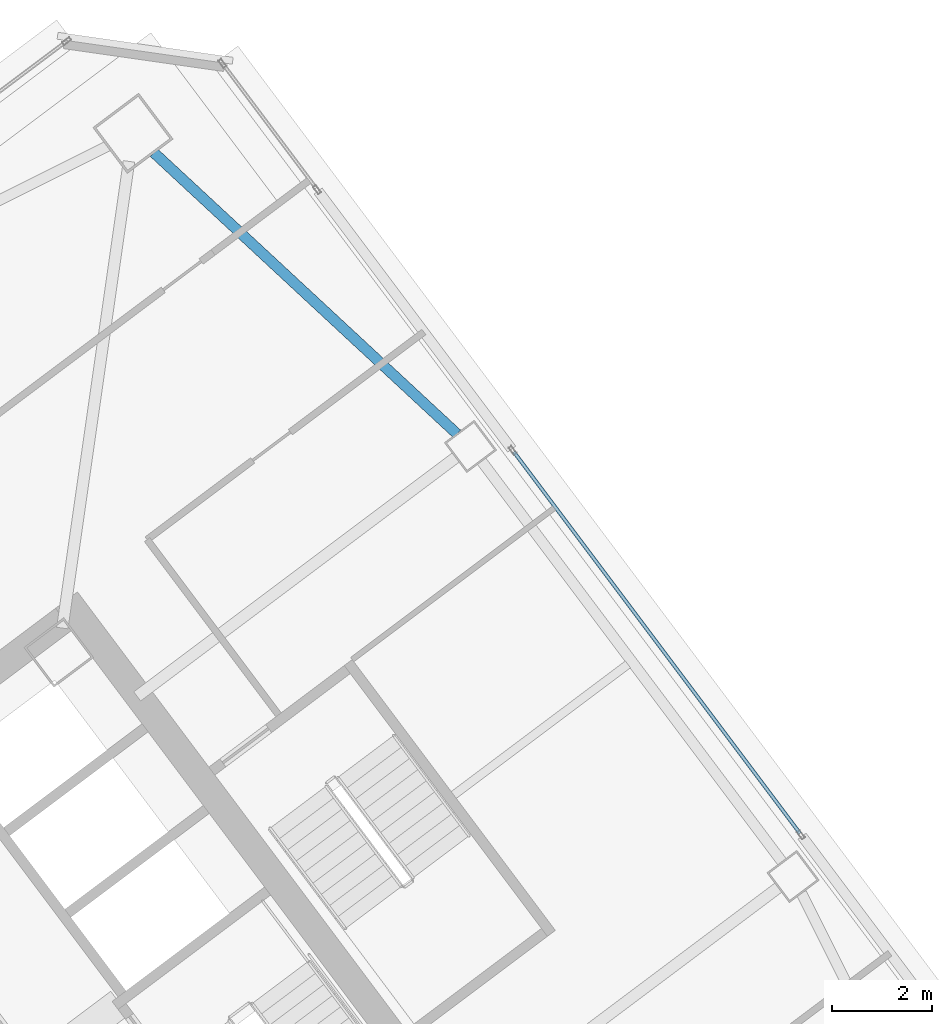
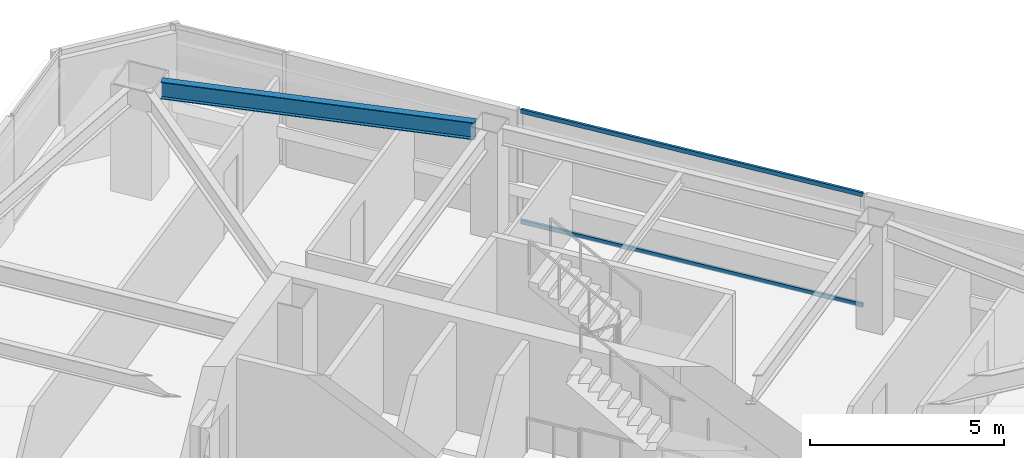
# One storey, part 28 of 41: 2 members, 1 beam, 1 element without a shape of its own.
"""IFC4 building model written with IfcOpenShell, lengths in metres."""

from ifc_helpers import new_model, si_unit, direction, frame, origin, origin_2d, place, context, subcontext, project, spatial, hollow_rectangle, i_section, extrude, material, material_profile, profile_set, type_object, element, aggregate, save


model = new_model("IFC4")

# Units and contexts
model_context = context("Model", 3, precision=1e-05, world=origin(), true_north=direction((0.0, 1.0)))
body_context = subcontext(model_context, "Body", "Model", "MODEL_VIEW")
ifc_project = project(units=[si_unit("LENGTHUNIT", "METRE"), si_unit("AREAUNIT", "SQUARE_METRE"), si_unit("VOLUMEUNIT", "CUBIC_METRE"), si_unit("PLANEANGLEUNIT", "RADIAN"), si_unit("MASSUNIT", "GRAM", prefix="KILO")], contexts=[model_context])

# Site, building, storey
site_placement = place(None, origin())
site = spatial("IfcSite", under=ifc_project, at=site_placement, CompositionType="ELEMENT")
building_placement = place(site_placement, origin())
building = spatial("IfcBuilding", under=site, at=building_placement, Name="Tashvorn Skyway Center", CompositionType="ELEMENT")
storey_placement = place(building_placement, frame((0.0, 0.0, 174.75)))
storey = spatial("IfcBuildingStorey", under=building, at=storey_placement, Name="L47", CompositionType="ELEMENT", Elevation=174.75)

# Beam
ifc_material_1 = material(Name="Steel ASTM A992 Grade 50", Category="steel")
ifc_material_profile_1 = material_profile(ifc_material_1, i_section(OverallWidth=0.2109375, OverallDepth=0.5390625, WebThickness=0.01171875, FlangeThickness=0.018798828125, at=origin_2d()), Name="W21X73")
ifc_profile_set_1 = profile_set([ifc_material_profile_1], Name="Steel ASTM A992 Grade 50")
beam_type = type_object("IfcBeamType", Name="BM-SPANDREL-W21X73", PredefinedType="SPANDREL", material=ifc_profile_set_1)
beam_placement = place(storey_placement, frame((123.40869140625, 46.26171875, 3.1005859375), z_axis=(-0.733101115618, 0.680119661736, 0.0), x_axis=(-0.680119661736, -0.733101115618, 0.0)))
element("IfcBeam", 1, at=beam_placement, inside=storey, type_object=beam_type, Name="Tower 2 L47 Spandrel Beam 06", PredefinedType="SPANDREL", context=body_context, shape_type="SweptSolid", body=[
    extrude(i_section(OverallWidth=0.2109375, OverallDepth=0.5390625, WebThickness=0.01171875, FlangeThickness=0.018798828125, at=origin_2d()), origin(), (0.0, 0.0, 1.0), 8.308349609375),
])

# Curtain wall, members
ifc_material_2 = material(Name="Thermally broken bronze-anodized aluminium 6063-T6", Category="aluminium")
curtain_wall_type = type_object("IfcCurtainWallType", Name="CW-CW-Z4", PredefinedType="NOTDEFINED", material=ifc_material_2)
curtain_wall_placement = place(storey_placement, origin())
curtain_wall = element("IfcCurtainWall", 2, at=curtain_wall_placement, inside=storey, type_object=curtain_wall_type, Name="Tower 2 L47 East Unitised Curtain Wall Glazing Group 2", PredefinedType="NOTDEFINED")
ifc_material_profile_2 = material_profile(ifc_material_2, hollow_rectangle(XDim=0.070068359375, YDim=0.1298828125, WallThickness=0.00390625, at=origin_2d()), Name="ALU-TRAN-70x130")
ifc_profile_set_2 = profile_set([ifc_material_profile_2], Name="Thermally broken bronze-anodized aluminium 6063-T6")
member_type = type_object("IfcMemberType", Name="CWT-CW-Z4", PredefinedType="USERDEFINED", material=ifc_profile_set_2)
member_1_placement = place(storey_placement, frame((124.550048828125, 45.89990234375, 0.034912109375), z_axis=(0.600012232595, -0.799990825408, 0.0), x_axis=(0.799990825408, 0.600012232595, 0.0)))
member_1 = element("IfcMember", 3, at=member_1_placement, type_object=member_type, Name="CW-Z4 transom 1.1", ObjectType="TRANSOM", PredefinedType="USERDEFINED", context=body_context, shape_type="SweptSolid", body=[
    extrude(hollow_rectangle(XDim=0.070068359375, YDim=0.1298828125, WallThickness=0.00390625, at=origin_2d()), origin(), (0.0, 0.0, 1.0), 9.579833984375),
])
member_2_placement = place(storey_placement, frame((124.550048828125, 45.89990234375, 3.514892578125), z_axis=(0.600012232595, -0.799990825408, 0.0), x_axis=(0.799990825408, 0.600012232595, 0.0)))
member_2 = element("IfcMember", 4, at=member_2_placement, type_object=member_type, Name="CW-Z4 transom 1.2", ObjectType="TRANSOM", PredefinedType="USERDEFINED", context=body_context, shape_type="SweptSolid", body=[
    extrude(hollow_rectangle(XDim=0.070068359375, YDim=0.1298828125, WallThickness=0.00390625, at=origin_2d()), origin(), (0.0, 0.0, 1.0), 9.579833984375),
])
aggregate(curtain_wall, [member_1, member_2])

save(model, "model.ifc")
